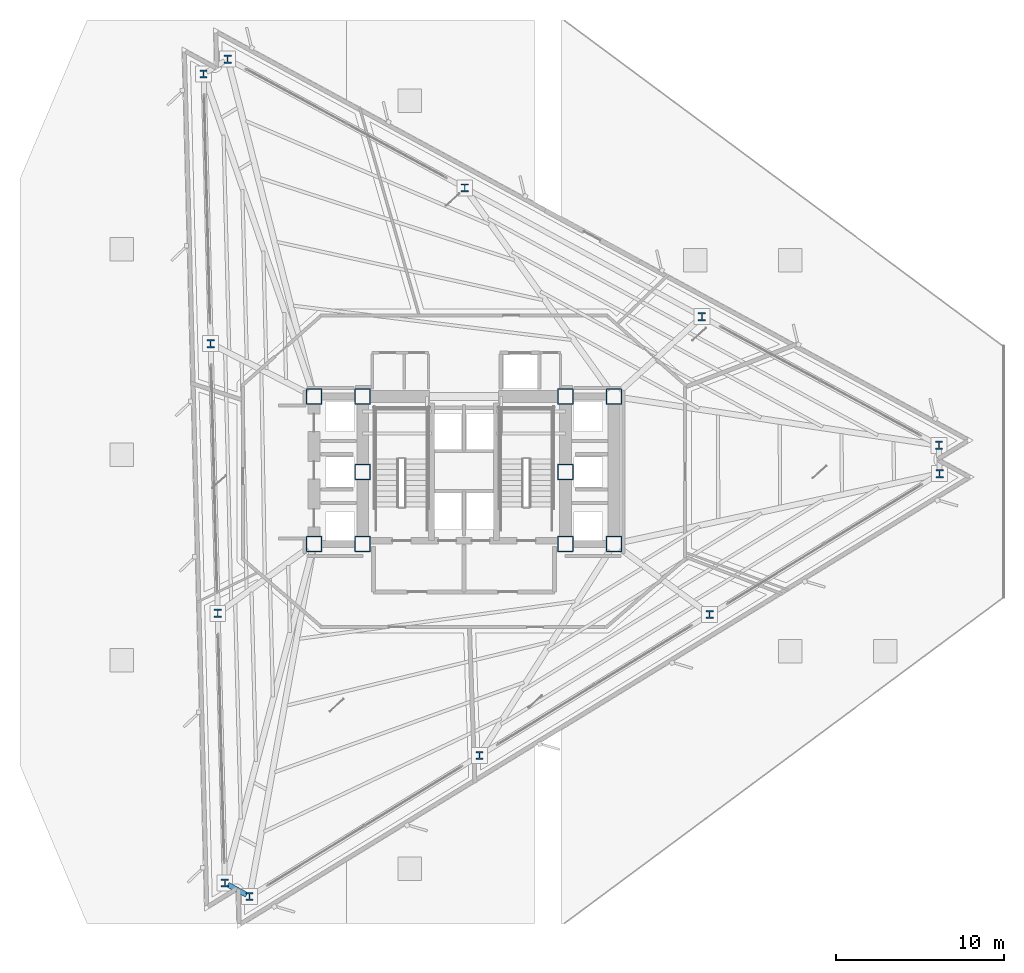
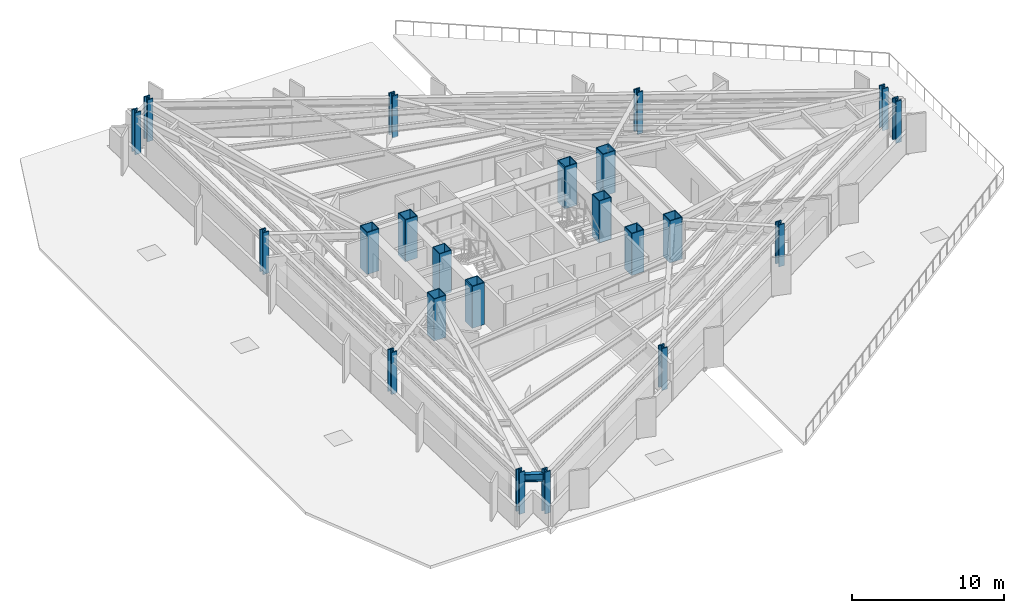
# One storey, part 1 of 13: 22 columns, 1 beam.
"""IFC4 building model written with IfcOpenShell, lengths in metres."""

from ifc_helpers import new_model, si_unit, direction, frame, origin, origin_2d, place, context, subcontext, project, spatial, hollow_rectangle, i_section, extrude, material, material_profile, profile_set, type_object, element, save


model = new_model("IFC4")

# Units and contexts
model_context = context("Model", 3, precision=1e-05, world=origin(), true_north=direction((0.0, 1.0)))
body_context = subcontext(model_context, "Body", "Model", "MODEL_VIEW")
ifc_project = project(units=[si_unit("LENGTHUNIT", "METRE"), si_unit("AREAUNIT", "SQUARE_METRE"), si_unit("VOLUMEUNIT", "CUBIC_METRE"), si_unit("PLANEANGLEUNIT", "RADIAN"), si_unit("MASSUNIT", "GRAM", prefix="KILO")], contexts=[model_context])

# Site, building, storey
site_placement = place(None, origin())
site = spatial("IfcSite", under=ifc_project, at=site_placement, CompositionType="ELEMENT")
building_placement = place(site_placement, origin())
building = spatial("IfcBuilding", under=site, at=building_placement, Name="Rocaltana Carrier Exchange", CompositionType="ELEMENT")
storey_placement = place(building_placement, frame((0.0, 0.0, 18.8798828125)))
storey = spatial("IfcBuildingStorey", under=building, at=storey_placement, Name="L06", CompositionType="ELEMENT", Elevation=18.8798828125)

# Columns
ifc_material_1 = material(Name="Steel S460", Category="steel")
ifc_material_profile_1 = material_profile(ifc_material_1, hollow_rectangle(XDim=0.949951171875, YDim=0.949951171875, WallThickness=0.06005859375, InnerFilletRadius=0.02001953125, OuterFilletRadius=0.0400390625, at=origin_2d()), Name="BOX950X950X60")
ifc_profile_set_1 = profile_set([ifc_material_profile_1], Name="Steel S460")
column_type_1 = type_object("IfcColumnType", Name="Core Mega-Column BOX950", PredefinedType="COLUMN", material=ifc_profile_set_1)
for number, where, z_axis, x_axis, name in (
    (1, (-6.050048828125, 4.5, 0.0), (0.0, 0.0, 1.0), (1.0, 0.0, 0.0), "L06 Core Mega-Column MC1"),
    (2, (6.050048828125, 4.5, 0.0), (0.0, 0.0, 1.0), (1.0, 0.0, 0.0), "L06 Core Mega-Column MC2"),
    (3, (-6.050048828125, 0.0, 0.0), (0.0, 0.0, 1.0), (1.0, 0.0, 0.0), "L06 Core Mega-Column MC3"),
    (4, (6.050048828125, 0.0, 0.0), (0.0, 0.0, 1.0), (1.0, 0.0, 0.0), "L06 Core Mega-Column MC4"),
    (5, (-6.050048828125, -4.300048828125, 0.0), (0.0, 0.0, 1.0), (1.0, 0.0, 0.0), "L06 Core Mega-Column MC5"),
    (6, (6.050048828125, -4.300048828125, 0.0), (0.0, 0.0, 1.0), (1.0, 0.0, 0.0), "L06 Core Mega-Column MC6"),
    (7, (-8.949951171875, 4.5, 0.0), (0.0, 0.0, 1.0), (1.0, 0.0, 0.0), "L06 West Core Column WC1"),
    (8, (-8.949951171875, -4.300048828125, 0.0), (0.0, 0.0, 1.0), (1.0, 0.0, 0.0), "L06 West Core Column WC2"),
    (9, (8.949951171875, 4.5, 0.0), (0.0, 0.0, 1.0), (1.0, 0.0, 0.0), "L06 East Core Column EC1"),
    (10, (8.949951171875, -4.300048828125, 0.0), (0.0, 0.0, 1.0), (1.0, 0.0, 0.0), "L06 East Core Column EC2"),
):
    element("IfcColumn", number, at=place(storey_placement, frame(where, z_axis=z_axis, x_axis=x_axis)), inside=storey, type_object=column_type_1, Name=name, PredefinedType="COLUMN", context=body_context, shape_type="SweptSolid", body=[
        extrude(hollow_rectangle(XDim=0.949951171875, YDim=0.949951171875, WallThickness=0.06005859375, InnerFilletRadius=0.02001953125, OuterFilletRadius=0.0400390625, at=origin_2d()), origin(), (0.0, 0.0, 1.0), 3.360107421875),
    ])
ifc_material_2 = material(Name="Steel S460", Category="steel")
ifc_material_profile_2 = material_profile(ifc_material_2, i_section(OverallWidth=0.431884765625, OverallDepth=0.498046875, WebThickness=0.0556640625, FlangeThickness=0.0888671875, FilletRadius=0.02490234375, at=origin_2d()), Name="W14X500")
ifc_profile_set_2 = profile_set([ifc_material_profile_2], Name="Steel S460")
column_type_2 = type_object("IfcColumnType", Name="Perimeter Column W14X500", PredefinedType="COLUMN", material=ifc_profile_set_2)
for number, where, z_axis, x_axis, name in (
    (11, (28.340576171875, 1.5849609375, 0.0), (0.0, 0.0, 1.0), (1.0, 0.0, 0.0), "L06 Perimeter Column TC01"),
    (12, (14.191650390625, 9.26708984375, 0.0), (0.0, 0.0, 1.0), (1.0, 0.0, 0.0), "L06 Perimeter Column TC02"),
    (13, (0.042724609375, 16.949462890625, 0.0), (0.0, 0.0, 1.0), (1.0, 0.0, 0.0), "L06 Perimeter Column TC03"),
    (14, (-14.106201171875, 24.631591796875, 0.0), (0.0, 0.0, 1.0), (1.0, 0.0, 0.0), "L06 Perimeter Column TC04"),
    (15, (-15.54296875, 23.751220703125, 0.0), (0.0, 0.0, 1.0), (1.0, 0.0, 0.0), "L06 Perimeter Column TC05"),
    (16, (-15.121337890625, 7.65673828125, 0.0), (0.0, 0.0, 1.0), (1.0, 0.0, 0.0), "L06 Perimeter Column TC06"),
    (17, (-14.699951171875, -8.437744140625, 0.0), (0.0, 0.0, 1.0), (1.0, 0.0, 0.0), "L06 Perimeter Column TC07"),
    (18, (-14.278564453125, -24.5322265625, 0.0), (0.0, 0.0, 1.0), (1.0, 0.0, 0.0), "L06 Perimeter Column TC08"),
    (19, (-12.7978515625, -25.336181640625, 0.0), (0.0, 0.0, 1.0), (1.0, 0.0, 0.0), "L06 Perimeter Column TC09"),
    (20, (0.9296875, -16.923828125, 0.0), (0.0, 0.0, 1.0), (1.0, 0.0, 0.0), "L06 Perimeter Column TC10"),
    (21, (14.6572265625, -8.51171875, 0.0), (0.0, 0.0, 1.0), (1.0, 0.0, 0.0), "L06 Perimeter Column TC11"),
    (22, (28.384765625, -0.099609375, 0.0), (0.0, 0.0, 1.0), (1.0, 0.0, 0.0), "L06 Perimeter Column TC12"),
):
    element("IfcColumn", number, at=place(storey_placement, frame(where, z_axis=z_axis, x_axis=x_axis)), inside=storey, type_object=column_type_2, Name=name, PredefinedType="COLUMN", context=body_context, shape_type="SweptSolid", body=[
        extrude(i_section(OverallWidth=0.431884765625, OverallDepth=0.498046875, WebThickness=0.0556640625, FlangeThickness=0.0888671875, FilletRadius=0.02490234375, at=origin_2d()), origin(), (0.0, 0.0, 1.0), 3.360107421875),
    ])

# Beam
ifc_material_3 = material(Name="Steel S355", Category="steel")
ifc_material_profile_3 = material_profile(ifc_material_3, i_section(OverallWidth=0.300048828125, OverallDepth=0.60009765625, WebThickness=0.015380859375, FlangeThickness=0.030029296875, FilletRadius=0.027099609375, at=origin_2d()), Name="HEB600")
ifc_profile_set_3 = profile_set([ifc_material_profile_3], Name="Steel S355")
beam_type = type_object("IfcBeamType", Name="Spandrel Edge Beam HEB600", PredefinedType="SPANDREL", material=ifc_profile_set_3)
beam_placement = place(storey_placement, frame((-14.095703125, -24.631591796875, 2.798095703125), z_axis=(0.878871874153, -0.477057888335, 0.0), x_axis=(0.477057888335, 0.878871874153, 0.0)))
element("IfcBeam", 23, at=beam_placement, inside=storey, type_object=beam_type, Name="SP-L06-08", PredefinedType="SPANDREL", context=body_context, shape_type="SweptSolid", body=[
    extrude(i_section(OverallWidth=0.300048828125, OverallDepth=0.60009765625, WebThickness=0.015380859375, FlangeThickness=0.030029296875, FilletRadius=0.027099609375, at=origin_2d()), origin(), (0.0, 0.0, 1.0), 1.2685546875),
])

save(model, "model.ifc")
